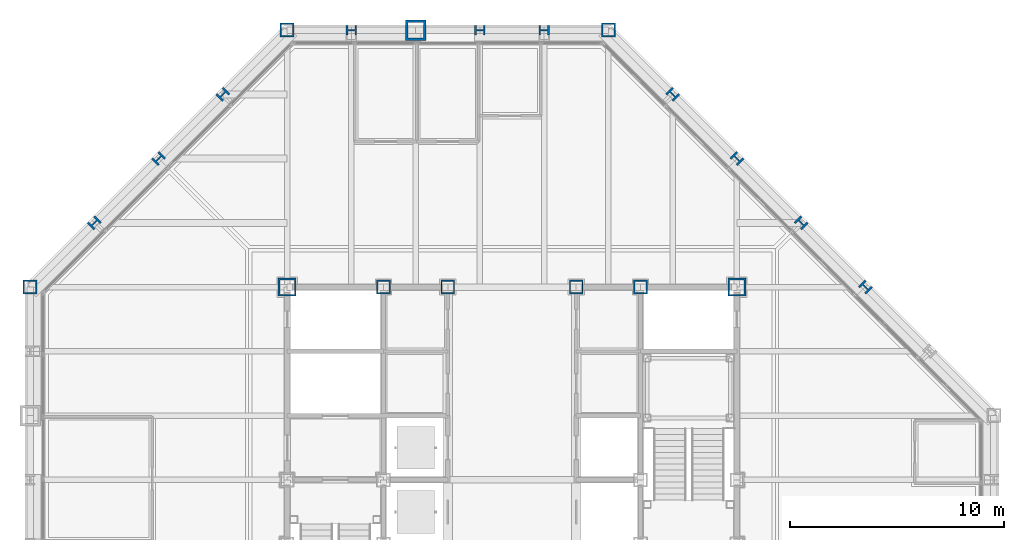
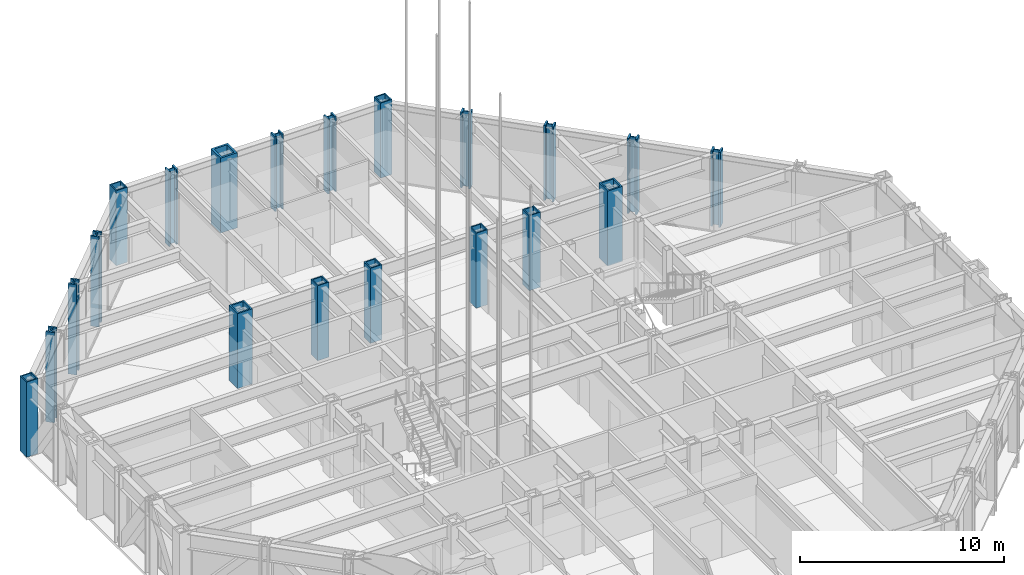
# One storey, part 3 of 24: 20 columns.
"""IFC4 building model written with IfcOpenShell, lengths in metres."""

import ifcopenshell
import ifcopenshell.guid

model = None  # the IFC model being written
_history = None  # IfcOwnerHistory: only IFC2X3 demands one
_inside = {}  # id of a spatial element -> (the spatial element, [elements in it])
_under = {}  # id of a project, library or spatial element -> (it, [spatial elements below it])
_declared = {}  # id of a project -> (the project, [libraries it declares])
_typed = {}  # id of a type object -> (the type object, [elements of that type])
_made_of = {}  # id of a material, layer set ... -> (it, [elements and type objects made of it])


def new_model(schema):
    """Start an empty IFC model of exactly this schema.

    Asked for "IFC4X3", IfcOpenShell would pick the latest addendum, in which some entities
    have other attributes; the version numbers below select the first issue.
    IFC2X3 requires an IfcOwnerHistory on every rooted entity: one is made here for all.
    """
    global model, _history
    if schema == "IFC4X3":
        model = ifcopenshell.file(schema_version=(4, 3, 0, 0))
    else:
        model = ifcopenshell.file(schema=schema)
    _inside.clear()
    _under.clear()
    _declared.clear()
    _typed.clear()
    _made_of.clear()
    _history = None
    if model.schema == "IFC2X3":
        org = make("IfcOrganization", Name="unknown")
        user = make(
            "IfcPersonAndOrganization",
            ThePerson=make("IfcPerson", FamilyName="unknown"),
            TheOrganization=org,
        )
        app = make(
            "IfcApplication",
            ApplicationDeveloper=org,
            Version="unknown",
            ApplicationFullName="unknown",
            ApplicationIdentifier="unknown",
        )
        _history = make(
            "IfcOwnerHistory",
            OwningUser=user,
            OwningApplication=app,
            ChangeAction="ADDED",
            CreationDate=0,
        )
    return model


def make(cls, **values):
    """One entity of the class cls with the attributes given. An attribute that is None is left unset."""
    return model.create_entity(
        cls, **{name: value for name, value in values.items() if value is not None}
    )


def rooted(cls, **values):
    """An entity with a GlobalId (a new one), such as an element, a storey or a relation."""
    return make(cls, GlobalId=ifcopenshell.guid.new(), OwnerHistory=_history, **values)


def si_unit(unit_type, name, prefix=None):
    """IfcSIUnit, for example si_unit("LENGTHUNIT", "METRE", prefix="MILLI")."""
    return make("IfcSIUnit", UnitType=unit_type, Prefix=prefix, Name=name)


def assignment(units):
    """IfcUnitAssignment: the units of a project."""
    return None if units is None else make("IfcUnitAssignment", Units=units)


def point(xyz):
    """IfcCartesianPoint."""
    return None if xyz is None else make("IfcCartesianPoint", Coordinates=xyz)


def direction(xyz):
    """IfcDirection."""
    return None if xyz is None else make("IfcDirection", DirectionRatios=xyz)


def frame(location, z_axis=None, x_axis=None):
    """IfcAxis2Placement3D, a coordinate frame: its origin and axes. An axis left out is left unset."""
    return make(
        "IfcAxis2Placement3D",
        Location=point(location),
        Axis=direction(z_axis),
        RefDirection=direction(x_axis),
    )


def frame_2d(location, x_axis=None):
    """IfcAxis2Placement2D, a coordinate frame in the plane: its origin and x axis."""
    return make(
        "IfcAxis2Placement2D", Location=point(location), RefDirection=direction(x_axis)
    )


def origin():
    """The frame at (0, 0, 0) with its axes left unset."""
    return frame((0.0, 0.0, 0.0))


def origin_2d():
    """The frame at (0, 0) in the plane with its x axis left unset."""
    return frame_2d((0.0, 0.0))


def place(relative_to, where):
    """IfcLocalPlacement: puts the frame where relative to a parent placement (None: the world)."""
    return make(
        "IfcLocalPlacement", PlacementRelTo=relative_to, RelativePlacement=where
    )


def context(
    kind, dimensions, precision=None, world=None, true_north=None, identifier=None
):
    """IfcGeometricRepresentationContext, for example the 3D "Model" context."""
    return make(
        "IfcGeometricRepresentationContext",
        ContextIdentifier=identifier,
        ContextType=kind,
        CoordinateSpaceDimension=dimensions,
        Precision=precision,
        WorldCoordinateSystem=world,
        TrueNorth=true_north,
    )


def subcontext(parent, identifier, kind, view, scale=None):
    """IfcGeometricRepresentationSubContext, for example "Body" below "Model"."""
    return make(
        "IfcGeometricRepresentationSubContext",
        ContextIdentifier=identifier,
        ContextType=kind,
        ParentContext=parent,
        TargetScale=scale,
        TargetView=view,
    )


def project(units=None, contexts=None):
    """IfcProject with its units and contexts."""
    return rooted(
        "IfcProject",
        Name="project",
        RepresentationContexts=contexts,
        UnitsInContext=assignment(units),
    )


def spatial(cls, under=None, at=None, **own):
    """A site, building, storey or space (cls), placed at a placement, below another one or the project."""
    s = rooted(cls, ObjectPlacement=at, **own)
    if under is not None:
        _under.setdefault(under.id(), (under, []))[1].append(s)
    return s


def profile(cls, at=None, kind="AREA", **sizes):
    """A parametric profile (cls). Its sizes go by their IFC names, for example OverallWidth=200.0."""
    return make(cls, ProfileType=kind, Position=at, **sizes)


def hollow_rectangle(**sizes):
    """IfcRectangleHollowProfileDef."""
    return profile("IfcRectangleHollowProfileDef", **sizes)


def i_section(**sizes):
    """IfcIShapeProfileDef."""
    return profile("IfcIShapeProfileDef", **sizes)


def extrude(swept, where, along, depth):
    """IfcExtrudedAreaSolid: the profile swept, set in the frame where, extruded along a direction by depth."""
    return make(
        "IfcExtrudedAreaSolid",
        SweptArea=swept,
        Position=where,
        ExtrudedDirection=direction(along),
        Depth=depth,
    )


def shape(context_of_items, identifier, shape_type, items):
    """IfcShapeRepresentation: the items that make up one representation, for example the "Body"."""
    return make(
        "IfcShapeRepresentation",
        ContextOfItems=context_of_items,
        RepresentationIdentifier=identifier,
        RepresentationType=shape_type,
        Items=items,
    )


def material(Name=None, Category=None):
    """IfcMaterial."""
    return make("IfcMaterial", Name=Name, Category=Category)


def material_profile(
    of_material, cross_section, Name=None, Category=None, Priority=None
):
    """IfcMaterialProfile: a cross section and its material."""
    return make(
        "IfcMaterialProfile",
        Name=Name,
        Material=of_material,
        Profile=cross_section,
        Priority=Priority,
        Category=Category,
    )


def profile_set(profiles, Name=None, composite=None):
    """IfcMaterialProfileSet."""
    return make(
        "IfcMaterialProfileSet",
        Name=Name,
        MaterialProfiles=profiles,
        CompositeProfile=composite,
    )


def made_of(thing, what):
    """Note that an element or type object is made of a material, layer set ...; save() writes the relation."""
    if what is not None:
        _made_of.setdefault(what.id(), (what, []))[1].append(thing)
    return thing


def type_object(cls, material=None, **own):
    """A type object (cls), such as IfcWallType, which elements share."""
    return made_of(rooted(cls, **own), material)


def element(
    cls,
    number,
    at=None,
    inside=None,
    cuts=None,
    type_object=None,
    material=None,
    context=None,
    identifier="Body",
    shape_type=None,
    held_by="IfcProductDefinitionShape",
    body=None,
    shapes=None,
    **own,
):
    """One element of the class cls, such as IfcWall. Its Tag is "e" and its number.

    at: its placement. inside: the storey or other place that contains it. cuts: it is an
    opening in that element (IfcRelVoidsElement). A single representation is given by context,
    identifier, shape_type and body (its items); several are given by shapes. held_by: the class
    of the entity that holds the representations. save() writes the other relations.
    """
    e = rooted(cls, Tag="e%d" % number, ObjectPlacement=at, **own)
    if body is not None:
        shapes = [shape(context, identifier, shape_type, body)]
    if shapes is not None:
        e.Representation = make(held_by, Representations=shapes)
    if inside is not None:
        _inside.setdefault(inside.id(), (inside, []))[1].append(e)
    if cuts is not None:
        rooted(
            "IfcRelVoidsElement", RelatingBuildingElement=cuts, RelatedOpeningElement=e
        )
    if type_object is not None:
        _typed.setdefault(type_object.id(), (type_object, []))[1].append(e)
    return made_of(e, material)


def aggregate(whole, parts):
    """IfcRelAggregates: a whole, such as a stair, and the parts it consists of."""
    return rooted("IfcRelAggregates", RelatingObject=whole, RelatedObjects=parts)


def save(model, path):
    """Write the relations noted so far, then the file.

    IfcRelAggregates (storeys below a building ...), IfcRelContainedInSpatialStructure (elements
    in a storey), IfcRelDefinesByType, IfcRelAssociatesMaterial and IfcRelDeclares: one each for
    every whole, place, type object, material and project.
    """
    for whole, parts in _under.values():
        aggregate(whole, parts)
    for where, things in _inside.values():
        rooted(
            "IfcRelContainedInSpatialStructure",
            RelatedElements=things,
            RelatingStructure=where,
        )
    for kind, things in _typed.values():
        rooted("IfcRelDefinesByType", RelatedObjects=things, RelatingType=kind)
    for what, things in _made_of.values():
        rooted("IfcRelAssociatesMaterial", RelatedObjects=things, RelatingMaterial=what)
    for by, libraries in _declared.values():
        rooted("IfcRelDeclares", RelatingContext=by, RelatedDefinitions=libraries)
    model.write(path)


model = new_model("IFC4")

# Units and contexts
model_context = context("Model", 3, precision=1e-05, world=origin(), true_north=direction((0.0, 1.0)))
body_context = subcontext(model_context, "Body", "Model", "MODEL_VIEW")
ifc_project = project(units=[si_unit("LENGTHUNIT", "METRE"), si_unit("AREAUNIT", "SQUARE_METRE"), si_unit("VOLUMEUNIT", "CUBIC_METRE"), si_unit("PLANEANGLEUNIT", "RADIAN"), si_unit("MASSUNIT", "GRAM", prefix="KILO")], contexts=[model_context])

# Site, building, storey
site_placement = place(None, origin())
site = spatial("IfcSite", under=ifc_project, at=site_placement, CompositionType="ELEMENT")
building_placement = place(site_placement, origin())
building = spatial("IfcBuilding", under=site, at=building_placement, Name="Chuquiago Exchange Tower", CompositionType="ELEMENT")
storey_placement = place(building_placement, frame((0.0, 0.0, 180.0)))
storey = spatial("IfcBuildingStorey", under=building, at=storey_placement, Name="L39", CompositionType="ELEMENT", Elevation=180.0)

# Columns
ifc_material_1 = material(Name="Steel ASTM A992", Category="steel")
ifc_material_profile_1 = material_profile(ifc_material_1, i_section(OverallWidth=0.431884765625, OverallDepth=0.497802734375, WebThickness=0.0556640625, FlangeThickness=0.0888671875, at=origin_2d()), Name="W14X500")
ifc_profile_set_1 = profile_set([ifc_material_profile_1], Name="Steel ASTM A992")
column_type_1 = type_object("IfcColumnType", Name="C4 W14X500", PredefinedType="COLUMN", material=ifc_profile_set_1)
for number, where, z_axis, x_axis, name in (
    (1, (24.0, 45.0, 0.0), (0.0, 0.0, 1.0), (0.0, 1.0, 0.0), "COL-L39-24_45"),
    (2, (21.0, 45.0, 0.0), (0.0, 0.0, 1.0), (0.0, 1.0, 0.0), "COL-L39-21_45"),
    (3, (15.0, 45.0, 0.0), (0.0, 0.0, 1.0), (0.0, 1.0, 0.0), "COL-L39-15_45"),
):
    element("IfcColumn", number, at=place(storey_placement, frame(where, z_axis=z_axis, x_axis=x_axis)), inside=storey, type_object=column_type_1, Name=name, PredefinedType="COLUMN", context=body_context, shape_type="SweptSolid", body=[
        extrude(i_section(OverallWidth=0.431884765625, OverallDepth=0.497802734375, WebThickness=0.0556640625, FlangeThickness=0.0888671875, at=origin_2d()), origin(), (0.0, 0.0, 1.0), 4.5),
    ])
ifc_material_2 = material(Name="Steel ASTM A572 Grade 50", Category="steel")
ifc_material_profile_2 = material_profile(ifc_material_2, hollow_rectangle(XDim=0.64990234375, YDim=0.64990234375, WallThickness=0.06494140625, at=origin_2d()), Name="BOX650X650X65")
ifc_profile_set_2 = profile_set([ifc_material_profile_2], Name="Steel ASTM A572 Grade 50")
column_type_2 = type_object("IfcColumnType", Name="CC4 BOX650X650X65", PredefinedType="COLUMN", material=ifc_profile_set_2)
for number, where, z_axis, x_axis, name in (
    (4, (16.5, 33.0, 0.0), (0.0, 0.0, 1.0), (1.0, 0.0, 0.0), "CCOL-L39-16.5_33"),
    (5, (19.5, 33.0, 0.0), (0.0, 0.0, 1.0), (1.0, 0.0, 0.0), "CCOL-L39-19.5_33"),
    (6, (25.5, 33.0, 0.0), (0.0, 0.0, 1.0), (1.0, 0.0, 0.0), "CCOL-L39-25.5_33"),
    (7, (28.5, 33.0, 0.0), (0.0, 0.0, 1.0), (1.0, 0.0, 0.0), "CCOL-L39-28.5_33"),
):
    element("IfcColumn", number, at=place(storey_placement, frame(where, z_axis=z_axis, x_axis=x_axis)), inside=storey, type_object=column_type_2, Name=name, PredefinedType="COLUMN", context=body_context, shape_type="SweptSolid", body=[
        extrude(hollow_rectangle(XDim=0.64990234375, YDim=0.64990234375, WallThickness=0.06494140625, at=origin_2d()), origin(), (0.0, 0.0, 1.0), 4.5),
    ])
ifc_material_3 = material(Name="Steel ASTM A572 Grade 50", Category="steel")
ifc_material_profile_3 = material_profile(ifc_material_3, hollow_rectangle(XDim=0.85009765625, YDim=0.85009765625, WallThickness=0.0849609375, at=origin_2d()), Name="BOX850X850X85")
ifc_profile_set_3 = profile_set([ifc_material_profile_3], Name="Steel ASTM A572 Grade 50")
column_type_3 = type_object("IfcColumnType", Name="CC6 BOX850X850X85", PredefinedType="COLUMN", material=ifc_profile_set_3)
for number, where, z_axis, x_axis, name in (
    (8, (12.0, 33.0, 0.0), (0.0, 0.0, 1.0), (1.0, 0.0, 0.0), "CCOL-L39-12_33"),
    (9, (33.0, 33.0, 0.0), (0.0, 0.0, 1.0), (1.0, 0.0, 0.0), "CCOL-L39-33_33"),
):
    element("IfcColumn", number, at=place(storey_placement, frame(where, z_axis=z_axis, x_axis=x_axis)), inside=storey, type_object=column_type_3, Name=name, PredefinedType="COLUMN", context=body_context, shape_type="SweptSolid", body=[
        extrude(hollow_rectangle(XDim=0.85009765625, YDim=0.85009765625, WallThickness=0.0849609375, at=origin_2d()), origin(), (0.0, 0.0, 1.0), 4.5),
    ])
ifc_material_4 = material(Name="Steel ASTM A992", Category="steel")
ifc_material_profile_4 = material_profile(ifc_material_4, i_section(OverallWidth=0.436767578125, OverallDepth=0.51318359375, WebThickness=0.060546875, FlangeThickness=0.096923828125, at=origin_2d()), Name="W14X550")
ifc_profile_set_4 = profile_set([ifc_material_profile_4], Name="Steel ASTM A992")
column_type_4 = type_object("IfcColumnType", Name="CK4 W14X550", PredefinedType="COLUMN", material=ifc_profile_set_4)
for number, where, z_axis, x_axis, name in (
    (10, (39.0, 33.0, 0.0), (0.0, 0.0, 1.0), (0.707106781187, 0.707106781187, 0.0), "COL-L39-39_33"),
    (11, (36.0, 36.0, 0.0), (0.0, 0.0, 1.0), (0.707106781187, 0.707106781187, 0.0), "COL-L39-36_36"),
    (12, (33.0, 39.0, 0.0), (0.0, 0.0, 1.0), (0.707106781187, 0.707106781187, 0.0), "COL-L39-33_39"),
    (13, (30.0, 42.0, 0.0), (0.0, 0.0, 1.0), (0.707106781187, 0.707106781187, 0.0), "COL-L39-30_42"),
):
    element("IfcColumn", number, at=place(storey_placement, frame(where, z_axis=z_axis, x_axis=x_axis)), inside=storey, type_object=column_type_4, Name=name, PredefinedType="COLUMN", context=body_context, shape_type="SweptSolid", body=[
        extrude(i_section(OverallWidth=0.436767578125, OverallDepth=0.51318359375, WebThickness=0.060546875, FlangeThickness=0.096923828125, at=origin_2d()), origin(), (0.0, 0.0, 1.0), 4.5),
    ])
for number, where, z_axis, x_axis, name in (
    (14, (9.0, 42.0, -0.909912109375), (0.0, 0.0, 1.0), (-0.707106781187, 0.707106781187, 0.0), "COL-L39-9_42"),
    (15, (6.0, 39.0, -0.909912109375), (0.0, 0.0, 1.0), (-0.707106781187, 0.707106781187, 0.0), "COL-L39-6_39"),
    (16, (3.0, 36.0, -0.909912109375), (0.0, 0.0, 1.0), (-0.707106781187, 0.707106781187, 0.0), "COL-L39-3_36"),
):
    element("IfcColumn", number, at=place(storey_placement, frame(where, z_axis=z_axis, x_axis=x_axis)), inside=storey, type_object=column_type_4, Name=name, PredefinedType="COLUMN", context=body_context, shape_type="SweptSolid", body=[
        extrude(i_section(OverallWidth=0.436767578125, OverallDepth=0.51318359375, WebThickness=0.060546875, FlangeThickness=0.096923828125, at=origin_2d()), origin(), (0.0, 0.0, 1.0), 5.409912109375),
    ])
ifc_material_5 = material(Name="Steel ASTM A572 Grade 50", Category="steel")
ifc_material_profile_5 = material_profile(ifc_material_5, hollow_rectangle(XDim=0.64990234375, YDim=0.64990234375, WallThickness=0.06494140625, at=origin_2d()), Name="BOX650X650X65")
ifc_profile_set_5 = profile_set([ifc_material_profile_5], Name="Steel ASTM A572 Grade 50")
column_type_5 = type_object("IfcColumnType", Name="CN2 BOX650X650X65", PredefinedType="COLUMN", material=ifc_profile_set_5)
for number, where, z_axis, x_axis, name in (
    (17, (27.0, 45.0, 0.0), (0.0, 0.0, 1.0), (0.0, 1.0, 0.0), "COL-L39-27_45"),
    (18, (12.0, 45.0, 0.0), (0.0, 0.0, 1.0), (0.0, 1.0, 0.0), "COL-L39-12_45"),
    (19, (0.0, 33.0, 0.0), (0.0, 0.0, 1.0), (-1.0, 0.0, 0.0), "COL-L39-0_33"),
):
    element("IfcColumn", number, at=place(storey_placement, frame(where, z_axis=z_axis, x_axis=x_axis)), inside=storey, type_object=column_type_5, Name=name, PredefinedType="COLUMN", context=body_context, shape_type="SweptSolid", body=[
        extrude(hollow_rectangle(XDim=0.64990234375, YDim=0.64990234375, WallThickness=0.06494140625, at=origin_2d()), origin(), (0.0, 0.0, 1.0), 4.5),
    ])
ifc_material_6 = material(Name="Steel ASTM A572 Grade 42", Category="steel")
ifc_material_profile_6 = material_profile(ifc_material_6, hollow_rectangle(XDim=0.949951171875, YDim=0.949951171875, WallThickness=0.110107421875, at=origin_2d()), Name="BOX950X950X110")
ifc_profile_set_6 = profile_set([ifc_material_profile_6], Name="Steel ASTM A572 Grade 42")
column_type_6 = type_object("IfcColumnType", Name="CT1 BOX950X950X110", PredefinedType="COLUMN", material=ifc_profile_set_6)
column_placement = place(storey_placement, frame((18.0, 45.0, 0.0), z_axis=(0.0, 0.0, 1.0), x_axis=(0.0, 1.0, 0.0)))
element("IfcColumn", 20, at=column_placement, inside=storey, type_object=column_type_6, Name="COL-L39-18_45", PredefinedType="COLUMN", context=body_context, shape_type="SweptSolid", body=[
    extrude(hollow_rectangle(XDim=0.949951171875, YDim=0.949951171875, WallThickness=0.110107421875, at=origin_2d()), origin(), (0.0, 0.0, 1.0), 4.5),
])

save(model, "model.ifc")
